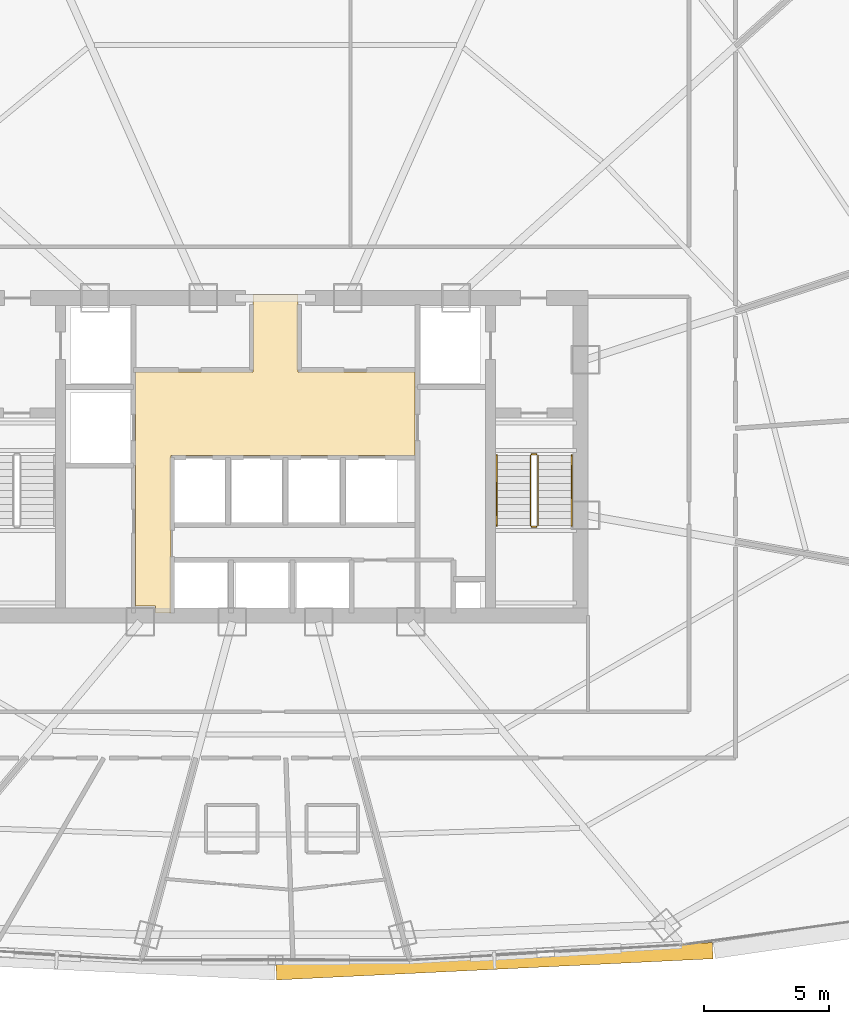
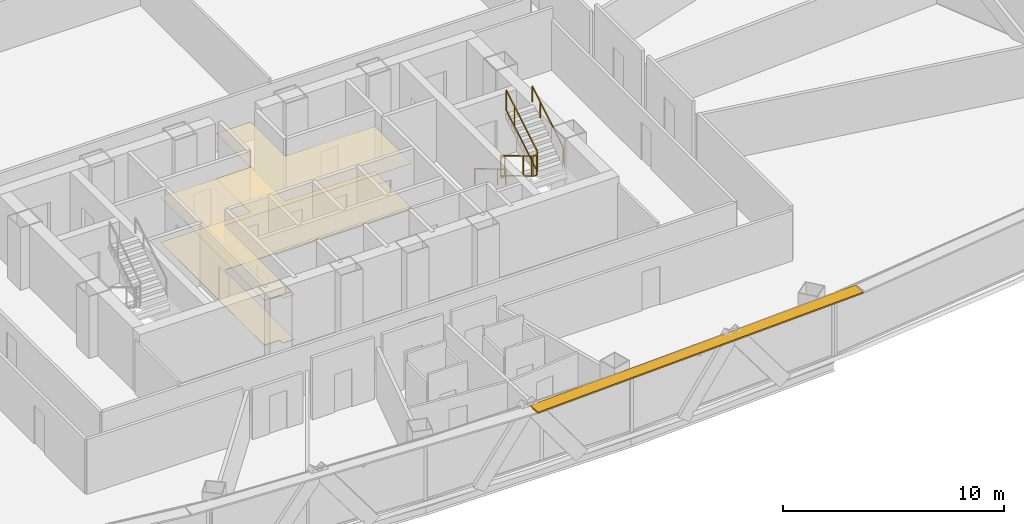
# One storey, part 37 of 39: 6 railings, 2 coverings, 1 shading device.
"""IFC4 building model written with IfcOpenShell, lengths in metres."""

from ifc_helpers import new_model, si_unit, direction, frame, origin, origin_2d, place, context, subcontext, project, spatial, polyline, rectangle, outline, extrude, source, transform, mapped, material, layer, layer_set, type_object, element, save


model = new_model("IFC4")

# Units and contexts
model_context = context("Model", 3, precision=1e-05, world=origin(), true_north=direction((0.0, 1.0)))
body_context = subcontext(model_context, "Body", "Model", "MODEL_VIEW")
ifc_project = project(units=[si_unit("LENGTHUNIT", "METRE"), si_unit("AREAUNIT", "SQUARE_METRE"), si_unit("VOLUMEUNIT", "CUBIC_METRE"), si_unit("PLANEANGLEUNIT", "RADIAN"), si_unit("MASSUNIT", "GRAM", prefix="KILO"), si_unit("THERMODYNAMICTEMPERATUREUNIT", "KELVIN"), si_unit("POWERUNIT", "WATT")], contexts=[model_context])

# Site, building, storey
site_placement = place(None, origin())
site = spatial("IfcSite", under=ifc_project, at=site_placement, CompositionType="ELEMENT")
building_placement = place(site_placement, origin())
building = spatial("IfcBuilding", under=site, at=building_placement, Name="Yunzhuo Pagoda Commons", CompositionType="ELEMENT")
storey_placement = place(building_placement, frame((0.0, 0.0, 162.949951171875)))
storey = spatial("IfcBuildingStorey", under=building, at=storey_placement, Name="L41", CompositionType="ELEMENT", Elevation=162.949951171875)

# Coverings
ifc_material_1 = material(Name="Perforated gypsum acoustic ceiling tile")
ifc_layer_1 = layer(ifc_material_1, 0.030029296875)
ifc_layer_set_1 = layer_set([ifc_layer_1], Name="Perforated gypsum acoustic ceiling tile")
covering_type_1 = type_object("IfcCoveringType", Name="COV-CL2 Ceiling 30", PredefinedType="CEILING", material=ifc_layer_set_1)
covering_1_placement = place(storey_placement, frame((0.0, 0.0, 2.469970703125)))
element("IfcCovering", 1, at=covering_1_placement, inside=storey, type_object=covering_type_1, Name="L41 lift lobby acoustic ceiling", PredefinedType="CEILING", context=body_context, shape_type="SweptSolid", body=[
    extrude(outline(polyline([(43.207763671875, 27.85009765625), (43.201904296875, 27.864013671875), (43.187744140625, 27.8701171875), (42.39990234375, 27.8701171875), (42.39990234375, 33.89990234375), (42.39990234375, 37.25), (47.10009765625, 37.25), (47.10009765625, 40.35009765625), (48.89990234375, 40.35009765625), (48.89990234375, 37.25), (53.580078125, 37.25), (53.580078125, 33.89990234375), (43.820068359375, 33.89990234375), (43.820068359375, 27.60009765625), (43.207763671875, 27.60009765625), (43.207763671875, 27.85009765625)])), origin(), (0.0, 0.0, 1.0), 0.030029296875),
])
ifc_material_2 = material(Name="Porcelain ceramic floor tile")
ifc_layer_2 = layer(ifc_material_2, 0.02001953125)
ifc_layer_set_2 = layer_set([ifc_layer_2], Name="Porcelain ceramic floor tile")
covering_type_2 = type_object("IfcCoveringType", Name="COV-FL1 Flooring 20", PredefinedType="FLOORING", material=ifc_layer_set_2)
covering_2_placement = place(storey_placement, origin())
element("IfcCovering", 2, at=covering_2_placement, inside=storey, type_object=covering_type_2, Name="L41 lift lobby flooring", PredefinedType="FLOORING", context=body_context, shape_type="SweptSolid", body=[
    extrude(outline(polyline([(43.207763671875, 27.85009765625), (43.201904296875, 27.864013671875), (43.187744140625, 27.8701171875), (42.39990234375, 27.8701171875), (42.39990234375, 33.89990234375), (42.39990234375, 37.25), (47.10009765625, 37.25), (47.10009765625, 40.35009765625), (48.89990234375, 40.35009765625), (48.89990234375, 37.25), (53.580078125, 37.25), (53.580078125, 33.89990234375), (43.820068359375, 33.89990234375), (43.820068359375, 27.60009765625), (43.207763671875, 27.60009765625), (43.207763671875, 27.85009765625)])), origin(), (0.0, 0.0, 1.0), 0.02001953125),
])

# Railings
ifc_material_3 = material(Name="Anodized aluminium 6063-T6", Category="aluminium")
railing_type_1 = type_object("IfcRailingType", Name="GR-ST2 Stair Well Guardrail 1160", PredefinedType="GUARDRAIL", material=ifc_material_3)
railing_1_placement = place(storey_placement, frame((58.199951171875, 33.89990234375, 0.167236328125)))
element("IfcRailing", 3, at=railing_1_placement, inside=storey, type_object=railing_type_1, Name="L41 ST2 stair guard 1", PredefinedType="GUARDRAIL", context=body_context, shape_type="SweptSolid", body=[
    extrude(rectangle(XDim=0.048095703125, YDim=0.048095703125, at=origin_2d()), frame((0.0, 0.0, 1.1259765625), z_axis=(0.0, -0.858442565357, 0.512909701589), x_axis=(1.0, 0.0, 0.0)), (0.0, 0.0, 1.0), 3.261474609375),
    extrude(rectangle(XDim=0.048095703125, YDim=0.048095703125, at=origin_2d()), frame((0.0, 0.0, 0.02392578125), z_axis=(0.0, -0.858442565357, 0.512909701589), x_axis=(1.0, 0.0, 0.0)), (0.0, 0.0, 1.0), 3.261474609375),
    extrude(rectangle(XDim=0.0419921875, YDim=0.0419921875, at=origin_2d()), origin(), (0.0, 0.0, 1.0), 1.101806640625),
    extrude(rectangle(XDim=0.0419921875, YDim=0.0419921875, at=origin_2d()), frame((0.0, -2.060302734375, 1.23095703125)), (0.0, 0.0, 1.0), 1.101806640625),
    extrude(rectangle(XDim=0.0419921875, YDim=0.0419921875, at=origin_2d()), frame((0.0, -2.7998046875, 1.6728515625)), (0.0, 0.0, 1.0), 1.101806640625),
])
railing_2_placement = place(storey_placement, frame((58.25, 31.050048828125, 1.840087890625)))
element("IfcRailing", 4, at=railing_2_placement, inside=storey, type_object=railing_type_1, Name="L41 ST2 stair guard 2", PredefinedType="GUARDRAIL", context=body_context, shape_type="SweptSolid", body=[
    extrude(rectangle(XDim=0.048095703125, YDim=0.048095703125, at=origin_2d()), frame((0.0, 0.0, 1.1259765625), z_axis=(1.0, 0.0, 0.0), x_axis=(0.0, 1.0, 0.0)), (0.0, 0.0, 1.0), 0.199951171875),
    extrude(rectangle(XDim=0.048095703125, YDim=0.048095703125, at=origin_2d()), frame((0.0, 0.0, 0.02392578125), z_axis=(1.0, 0.0, 0.0), x_axis=(0.0, 1.0, 0.0)), (0.0, 0.0, 1.0), 0.199951171875),
    extrude(rectangle(XDim=0.0419921875, YDim=0.0419921875, at=origin_2d()), origin(), (0.0, 0.0, 1.0), 1.101806640625),
    extrude(rectangle(XDim=0.0419921875, YDim=0.0419921875, at=origin_2d()), frame((0.199951171875, 0.0, 0.0)), (0.0, 0.0, 1.0), 1.101806640625),
])
railing_3_placement = place(storey_placement, frame((58.5, 31.10009765625, 2.00732421875)))
element("IfcRailing", 5, at=railing_3_placement, inside=storey, type_object=railing_type_1, Name="L41 ST2 stair guard 3", PredefinedType="GUARDRAIL", context=body_context, shape_type="SweptSolid", body=[
    extrude(rectangle(XDim=0.048095703125, YDim=0.048095703125, at=origin_2d()), frame((0.0, 0.0, 1.1259765625), z_axis=(0.0, 0.858475523978, 0.512854535645), x_axis=(-1.0, 0.0, 0.0)), (0.0, 0.0, 1.0), 3.261474609375),
    extrude(rectangle(XDim=0.048095703125, YDim=0.048095703125, at=origin_2d()), frame((0.0, 0.0, 0.02392578125), z_axis=(0.0, 0.858475523978, 0.512854535645), x_axis=(-1.0, 0.0, 0.0)), (0.0, 0.0, 1.0), 3.261474609375),
    extrude(rectangle(XDim=0.0419921875, YDim=0.0419921875, at=origin_2d()), origin(), (0.0, 0.0, 1.0), 1.101806640625),
    extrude(rectangle(XDim=0.0419921875, YDim=0.0419921875, at=origin_2d()), frame((0.0, 2.060302734375, 1.23095703125)), (0.0, 0.0, 1.0), 1.101806640625),
    extrude(rectangle(XDim=0.0419921875, YDim=0.0419921875, at=origin_2d()), frame((0.0, 2.7998046875, 1.672607421875)), (0.0, 0.0, 1.0), 1.101806640625),
])
railing_4_placement = place(storey_placement, frame((58.25, 33.949951171875, 0.0)))
element("IfcRailing", 6, at=railing_4_placement, inside=storey, type_object=railing_type_1, Name="L41 ST2 stair guard 4", PredefinedType="GUARDRAIL", context=body_context, shape_type="SweptSolid", body=[
    extrude(rectangle(XDim=0.048095703125, YDim=0.048095703125, at=origin_2d()), frame((0.0, 0.0, 1.1259765625), z_axis=(1.0, 0.0, 0.0), x_axis=(0.0, 1.0, 0.0)), (0.0, 0.0, 1.0), 0.199951171875),
    extrude(rectangle(XDim=0.048095703125, YDim=0.048095703125, at=origin_2d()), frame((0.0, 0.0, 0.02392578125), z_axis=(1.0, 0.0, 0.0), x_axis=(0.0, 1.0, 0.0)), (0.0, 0.0, 1.0), 0.199951171875),
    extrude(rectangle(XDim=0.0419921875, YDim=0.0419921875, at=origin_2d()), origin(), (0.0, 0.0, 1.0), 1.101806640625),
    extrude(rectangle(XDim=0.0419921875, YDim=0.0419921875, at=origin_2d()), frame((0.199951171875, 0.0, 0.0)), (0.0, 0.0, 1.0), 1.101806640625),
])
railing_type_2 = type_object("IfcRailingType", Name="HR-ST2 Stair Handrail 900", PredefinedType="HANDRAIL", material=ifc_material_3)
railing_5_placement = place(storey_placement, frame((56.85009765625, 33.89990234375, 0.167236328125)))
element("IfcRailing", 7, at=railing_5_placement, inside=storey, type_object=railing_type_2, Name="L41 ST2 stair handrail 1", PredefinedType="HANDRAIL", context=body_context, shape_type="SweptSolid", body=[
    extrude(rectangle(XDim=0.048095703125, YDim=0.048095703125, at=origin_2d()), frame((0.0, 0.0, 0.8759765625), z_axis=(0.0, -0.858442565357, 0.512909701589), x_axis=(1.0, 0.0, 0.0)), (0.0, 0.0, 1.0), 3.261474609375),
    extrude(rectangle(XDim=0.0419921875, YDim=0.0419921875, at=origin_2d()), origin(), (0.0, 0.0, 1.0), 0.851806640625),
    extrude(rectangle(XDim=0.0419921875, YDim=0.0419921875, at=origin_2d()), frame((0.0, -2.060302734375, 1.23095703125)), (0.0, 0.0, 1.0), 0.851806640625),
    extrude(rectangle(XDim=0.0419921875, YDim=0.0419921875, at=origin_2d()), frame((0.0, -2.7998046875, 1.6728515625)), (0.0, 0.0, 1.0), 0.851806640625),
])
railing_6_placement = place(storey_placement, frame((59.85009765625, 31.10009765625, 2.00732421875)))
element("IfcRailing", 8, at=railing_6_placement, inside=storey, type_object=railing_type_2, Name="L41 ST2 stair handrail 2", PredefinedType="HANDRAIL", context=body_context, shape_type="SweptSolid", body=[
    extrude(rectangle(XDim=0.048095703125, YDim=0.048095703125, at=origin_2d()), frame((0.0, 0.0, 0.8759765625), z_axis=(0.0, 0.858475523978, 0.512854535645), x_axis=(-1.0, 0.0, 0.0)), (0.0, 0.0, 1.0), 3.261474609375),
    extrude(rectangle(XDim=0.0419921875, YDim=0.0419921875, at=origin_2d()), origin(), (0.0, 0.0, 1.0), 0.851806640625),
    extrude(rectangle(XDim=0.0419921875, YDim=0.0419921875, at=origin_2d()), frame((0.0, 2.060302734375, 1.23095703125)), (0.0, 0.0, 1.0), 0.851806640625),
    extrude(rectangle(XDim=0.0419921875, YDim=0.0419921875, at=origin_2d()), frame((0.0, 2.7998046875, 1.672607421875)), (0.0, 0.0, 1.0), 0.851806640625),
])

# Shading device
ifc_layer_3 = layer(ifc_material_3, 0.080078125)
ifc_layer_set_3 = layer_set([ifc_layer_3], Name="Anodized aluminium 6063-T6")
shading_device_type = type_object("IfcShadingDeviceType", Name="SH-SUN1 Pagoda Horizontal Sunshade Eave 650", PredefinedType="USERDEFINED", material=ifc_layer_set_3)
shared_shape = source(origin(), body_context, "Body", "SweptSolid", [
    extrude(rectangle(XDim=17.481201171875, YDim=0.64990234375, at=origin_2d()), origin(), (0.0, 0.0, 1.0), 0.080078125),
])
shading_device_placement = place(storey_placement, frame((56.761962890625, 13.665771484375, 3.340087890625), z_axis=(0.0, 0.0, 1.0), x_axis=(0.998818043775, 0.04860571396, 0.0)))
element("IfcShadingDevice", 9, at=shading_device_placement, inside=storey, type_object=shading_device_type, Name="L41 horizontal pagoda sunshade eave F1.3", ObjectType="SUNSHADE", PredefinedType="USERDEFINED", context=body_context, shape_type="MappedRepresentation", body=[
    mapped(shared_shape, transform((0.0, 0.0, 0.0), scale=1.0)),
])

save(model, "model.ifc")
